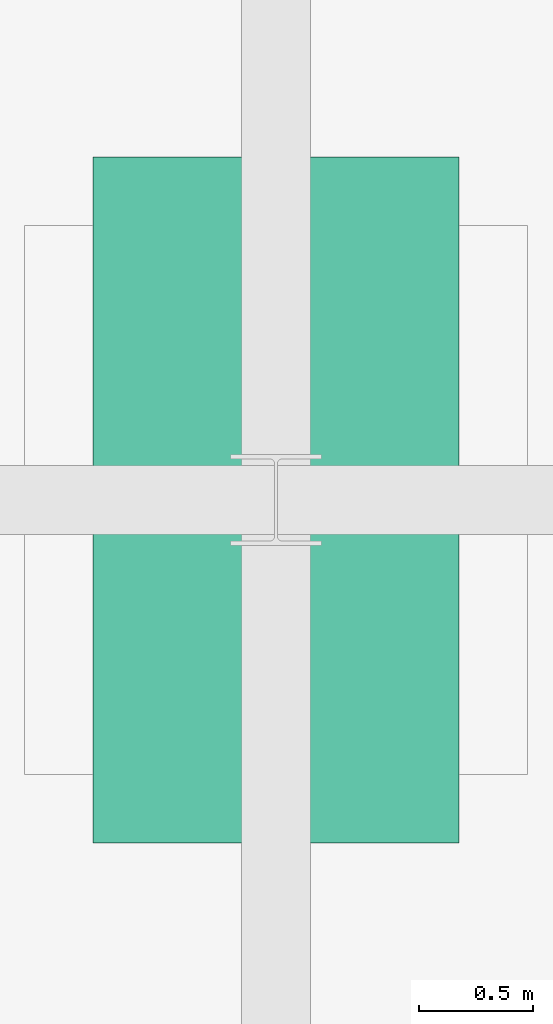
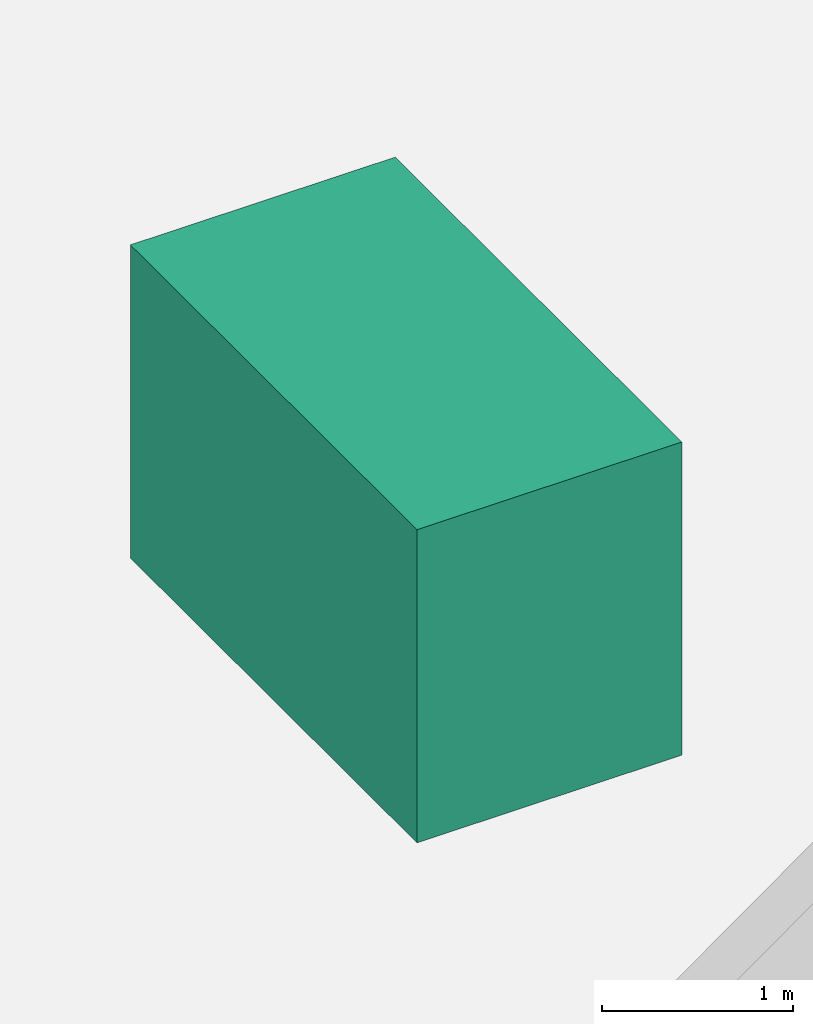
# One storey, part 16 of 16: 1 unitary equipment element.
"""IFC4 building model written with IfcOpenShell, lengths in metres."""

from ifc_helpers import new_model, si_unit, direction, frame, origin, origin_2d, place, context, subcontext, project, spatial, rectangle, extrude, material, type_object, element, save


model = new_model("IFC4")

# Units and contexts
model_context = context("Model", 3, precision=1e-05, world=origin(), true_north=direction((0.0, 1.0)))
body_context = subcontext(model_context, "Body", "Model", "MODEL_VIEW")
ifc_project = project(units=[si_unit("LENGTHUNIT", "METRE"), si_unit("AREAUNIT", "SQUARE_METRE"), si_unit("VOLUMEUNIT", "CUBIC_METRE"), si_unit("PLANEANGLEUNIT", "RADIAN"), si_unit("MASSUNIT", "GRAM", prefix="KILO")], contexts=[model_context])

# Site, building, storey
site_placement = place(None, origin())
site = spatial("IfcSite", under=ifc_project, at=site_placement, CompositionType="ELEMENT")
building_placement = place(site_placement, origin())
building = spatial("IfcBuilding", under=site, at=building_placement, Name="Veldorina Hangang Commons", CompositionType="ELEMENT")
storey_placement = place(building_placement, frame((0.0, 0.0, 308.39990234375)))
storey = spatial("IfcBuildingStorey", under=building, at=storey_placement, Name="Crown", CompositionType="ELEMENT", Elevation=308.39990234375)

# Unitary equipment
ifc_material = material(Name="Aluminium Insulated Double-Skin Casing", Category="aluminium")
unitary_equipment_type = type_object("IfcUnitaryEquipmentType", Name="EQ-AHU-1", PredefinedType="AIRHANDLER", material=ifc_material)
unitary_equipment_placement = place(storey_placement, frame((32.0, 24.0, 0.0), z_axis=(0.0, 0.0, 1.0), x_axis=(1.0, 0.0, 0.0)))
element("IfcUnitaryEquipment", 1, at=unitary_equipment_placement, inside=storey, type_object=unitary_equipment_type, Name="Crown Crown Lantern Maintenance and Plant Gallery equipment 023", PredefinedType="AIRHANDLER", context=body_context, shape_type="SweptSolid", body=[
    extrude(rectangle(XDim=1.60009765625, YDim=3.0, at=origin_2d()), origin(), (0.0, 0.0, 1.0), 2.0),
])

save(model, "model.ifc")
